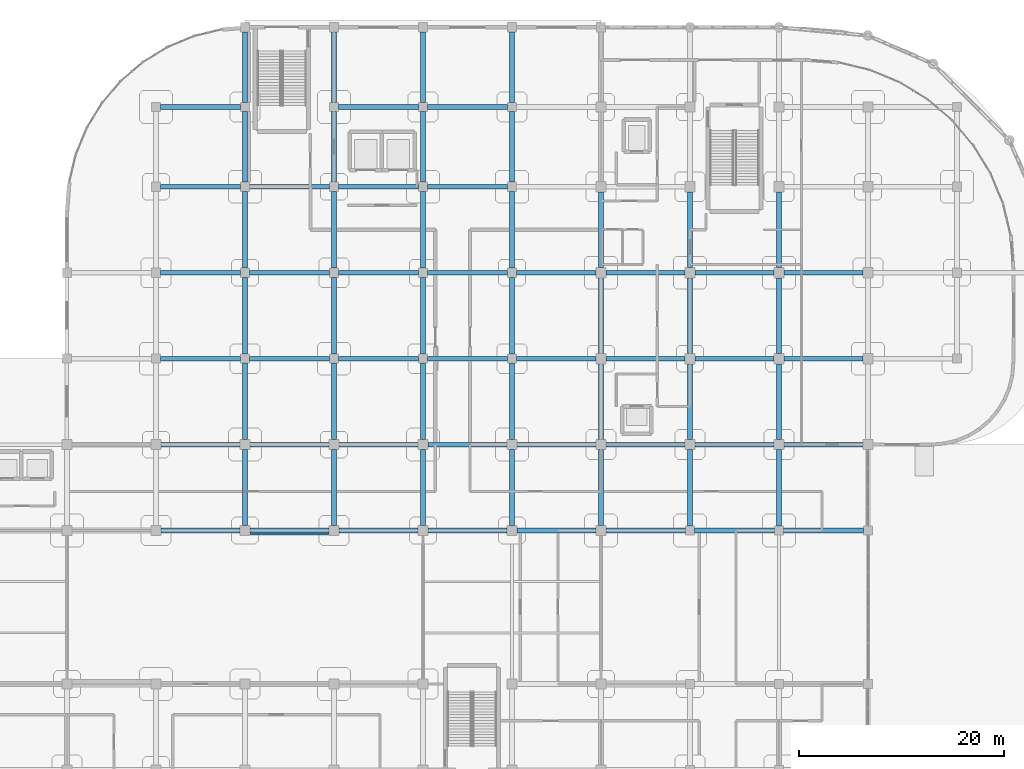
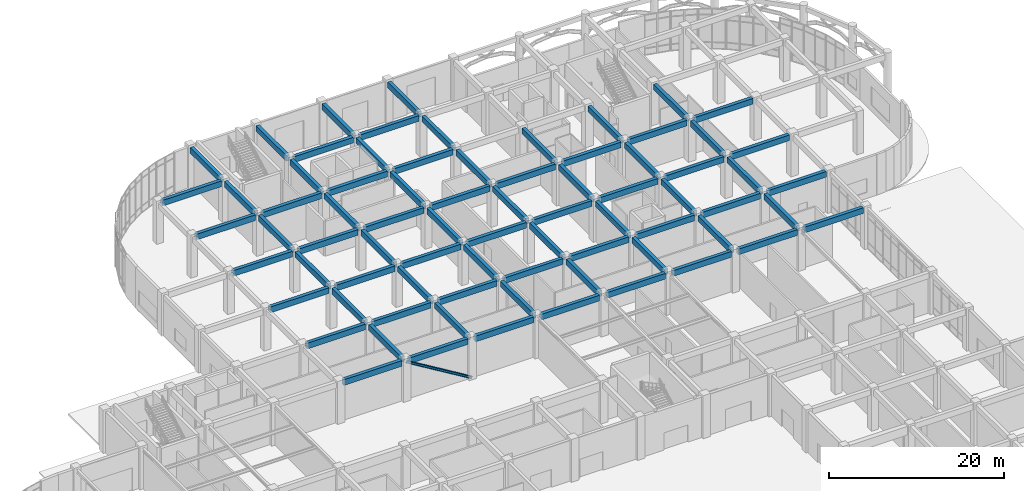
# One storey, part 22 of 82: 75 beams, 1 member.
"""IFC4 building model written with IfcOpenShell, lengths in metres."""

from ifc_helpers import new_model, si_unit, derived_unit, direction, frame, origin, origin_2d, place, context, subcontext, project, spatial, rectangle, i_section, extrude, material, material_profile, profile_set, type_object, element, save


model = new_model("IFC4")

# Units and contexts
model_context = context("Model", 3, precision=1e-05, world=origin(), true_north=direction((0.0, 1.0)))
body_context = subcontext(model_context, "Body", "Model", "MODEL_VIEW")
ifc_project = project(units=[si_unit("LENGTHUNIT", "METRE"), si_unit("AREAUNIT", "SQUARE_METRE"), si_unit("VOLUMEUNIT", "CUBIC_METRE"), si_unit("PLANEANGLEUNIT", "RADIAN"), si_unit("MASSUNIT", "GRAM", prefix="KILO"), derived_unit("THERMALTRANSMITTANCEUNIT", [(si_unit("MASSUNIT", "GRAM", prefix="KILO"), 1), (si_unit("TIMEUNIT", "SECOND"), -3), (si_unit("THERMODYNAMICTEMPERATUREUNIT", "KELVIN"), -1)])], contexts=[model_context])

# Site, building, storey
site_placement = place(None, origin())
site = spatial("IfcSite", under=ifc_project, at=site_placement, CompositionType="ELEMENT")
building_placement = place(site_placement, origin())
building = spatial("IfcBuilding", under=site, at=building_placement, Name="Qinzheling Arcade Emporium", CompositionType="ELEMENT")
storey_placement = place(building_placement, origin())
storey = spatial("IfcBuildingStorey", under=building, at=storey_placement, Name="L01", CompositionType="ELEMENT", Elevation=0.0)

# Member
ifc_material_1 = material(Name="Structural steel Q355B", Category="steel")
ifc_material_profile_1 = material_profile(ifc_material_1, i_section(OverallWidth=0.300048828125, OverallDepth=0.300048828125, WebThickness=0.010009765625, FlangeThickness=0.014892578125, FilletRadius=0.01806640625, at=origin_2d()), Name="HW 300x300x10x15", Category="steel")
ifc_profile_set_1 = profile_set([ifc_material_profile_1], Name="Structural steel Q355B")
member_type = type_object("IfcMemberType", Name="Escalator Truss Stringer HW300 Q355B", PredefinedType="STRINGER", material=ifc_profile_set_1)
member_placement = place(storey_placement, frame((78.300048828125, 65.1201171875, 0.179931640625), z_axis=(-0.855314515811, 0.0, 0.518109138159), x_axis=(0.0, -1.0, 0.0)))
element("IfcMember", 1, at=member_placement, inside=storey, type_object=member_type, Name="Escalator Stringer ESC-STR-L01-2", PredefinedType="STRINGER", context=body_context, shape_type="SweptSolid", body=[
    extrude(i_section(OverallWidth=0.300048828125, OverallDepth=0.300048828125, WebThickness=0.010009765625, FlangeThickness=0.014892578125, FilletRadius=0.01806640625, at=origin_2d()), origin(), (0.0, 0.0, 1.0), 10.171630859375),
])

# Beams
ifc_material_2 = material(Name="Concrete C40", Category="concrete")
ifc_material_profile_2 = material_profile(ifc_material_2, rectangle(XDim=0.449951171875, YDim=0.800048828125, at=origin_2d()), Name="RC 450x800", Category="concrete")
ifc_profile_set_2 = profile_set([ifc_material_profile_2], Name="Concrete C40")
beam_type = type_object("IfcBeamType", Name="RC Primary Frame Beam 450x800 C40", PredefinedType="BEAM", material=ifc_profile_set_2)
beam_1_placement = place(storey_placement, frame((61.39990234375, 65.39990234375, 5.320068359375), z_axis=(1.0, 0.0, 0.0), x_axis=(0.0, 1.0, 0.0)))
element("IfcBeam", 2, at=beam_1_placement, inside=storey, type_object=beam_type, Name="Beam BM-L01-X-H-8", PredefinedType="BEAM", context=body_context, shape_type="SweptSolid", body=[
    extrude(rectangle(XDim=0.449951171875, YDim=0.800048828125, at=origin_2d()), origin(), (0.0, 0.0, 1.0), 7.7001953125),
])
for number, where, z_axis, x_axis, name in (
    (3, (70.10009765625, 65.39990234375, 5.320068359375), (1.0, 0.0, 0.0), (0.0, 1.0, 0.0), "Beam BM-L01-X-H-9"),
    (4, (78.800048828125, 65.39990234375, 5.320068359375), (1.0, 0.0, 0.0), (0.0, 1.0, 0.0), "Beam BM-L01-X-H-10"),
    (5, (87.5, 65.39990234375, 5.320068359375), (1.0, 0.0, 0.0), (0.0, 1.0, 0.0), "Beam BM-L01-X-H-11"),
    (6, (96.199951171875, 65.39990234375, 5.320068359375), (1.0, 0.0, 0.0), (0.0, 1.0, 0.0), "Beam BM-L01-X-H-12"),
):
    element("IfcBeam", number, at=place(storey_placement, frame(where, z_axis=z_axis, x_axis=x_axis)), inside=storey, type_object=beam_type, Name=name, PredefinedType="BEAM", context=body_context, shape_type="SweptSolid", body=[
        extrude(rectangle(XDim=0.449951171875, YDim=0.800048828125, at=origin_2d()), origin(), (0.0, 0.0, 1.0), 7.699951171875),
    ])
beam_2_placement = place(storey_placement, frame((104.89990234375, 65.39990234375, 5.320068359375), z_axis=(1.0, 0.0, 0.0), x_axis=(0.0, 1.0, 0.0)))
element("IfcBeam", 7, at=beam_2_placement, inside=storey, type_object=beam_type, Name="Beam BM-L01-X-H-13", PredefinedType="BEAM", context=body_context, shape_type="SweptSolid", body=[
    extrude(rectangle(XDim=0.449951171875, YDim=0.800048828125, at=origin_2d()), origin(), (0.0, 0.0, 1.0), 7.75),
])
for number, where, z_axis, x_axis, name in (
    (8, (113.550048828125, 65.39990234375, 5.320068359375), (1.0, 0.0, 0.0), (0.0, 1.0, 0.0), "Beam BM-L01-X-H-14"),
    (9, (122.25, 65.39990234375, 5.320068359375), (1.0, 0.0, 0.0), (0.0, 1.0, 0.0), "Beam BM-L01-X-H-15"),
):
    element("IfcBeam", number, at=place(storey_placement, frame(where, z_axis=z_axis, x_axis=x_axis)), inside=storey, type_object=beam_type, Name=name, PredefinedType="BEAM", context=body_context, shape_type="SweptSolid", body=[
        extrude(rectangle(XDim=0.449951171875, YDim=0.800048828125, at=origin_2d()), origin(), (0.0, 0.0, 1.0), 7.800048828125),
    ])
beam_3_placement = place(storey_placement, frame((61.39990234375, 73.800048828125, 5.320068359375), z_axis=(1.0, 0.0, 0.0), x_axis=(0.0, 1.0, 0.0)))
element("IfcBeam", 10, at=beam_3_placement, inside=storey, type_object=beam_type, Name="Beam BM-L01-X-J-8", PredefinedType="BEAM", context=body_context, shape_type="SweptSolid", body=[
    extrude(rectangle(XDim=0.449951171875, YDim=0.800048828125, at=origin_2d()), origin(), (0.0, 0.0, 1.0), 7.7001953125),
])
for number, where, z_axis, x_axis, name in (
    (11, (70.10009765625, 73.800048828125, 5.320068359375), (1.0, 0.0, 0.0), (0.0, 1.0, 0.0), "Beam BM-L01-X-J-9"),
    (12, (78.800048828125, 73.800048828125, 5.320068359375), (1.0, 0.0, 0.0), (0.0, 1.0, 0.0), "Beam BM-L01-X-J-10"),
    (13, (87.5, 73.800048828125, 5.320068359375), (1.0, 0.0, 0.0), (0.0, 1.0, 0.0), "Beam BM-L01-X-J-11"),
    (14, (96.199951171875, 73.800048828125, 5.320068359375), (1.0, 0.0, 0.0), (0.0, 1.0, 0.0), "Beam BM-L01-X-J-12"),
):
    element("IfcBeam", number, at=place(storey_placement, frame(where, z_axis=z_axis, x_axis=x_axis)), inside=storey, type_object=beam_type, Name=name, PredefinedType="BEAM", context=body_context, shape_type="SweptSolid", body=[
        extrude(rectangle(XDim=0.449951171875, YDim=0.800048828125, at=origin_2d()), origin(), (0.0, 0.0, 1.0), 7.699951171875),
    ])
beam_4_placement = place(storey_placement, frame((104.89990234375, 73.800048828125, 5.320068359375), z_axis=(1.0, 0.0, 0.0), x_axis=(0.0, 1.0, 0.0)))
element("IfcBeam", 15, at=beam_4_placement, inside=storey, type_object=beam_type, Name="Beam BM-L01-X-J-13", PredefinedType="BEAM", context=body_context, shape_type="SweptSolid", body=[
    extrude(rectangle(XDim=0.449951171875, YDim=0.800048828125, at=origin_2d()), origin(), (0.0, 0.0, 1.0), 7.7001953125),
])
for number, where, z_axis, x_axis, name in (
    (16, (113.60009765625, 73.800048828125, 5.320068359375), (1.0, 0.0, 0.0), (0.0, 1.0, 0.0), "Beam BM-L01-X-J-14"),
    (17, (122.300048828125, 73.800048828125, 5.320068359375), (1.0, 0.0, 0.0), (0.0, 1.0, 0.0), "Beam BM-L01-X-J-15"),
):
    element("IfcBeam", number, at=place(storey_placement, frame(where, z_axis=z_axis, x_axis=x_axis)), inside=storey, type_object=beam_type, Name=name, PredefinedType="BEAM", context=body_context, shape_type="SweptSolid", body=[
        extrude(rectangle(XDim=0.449951171875, YDim=0.800048828125, at=origin_2d()), origin(), (0.0, 0.0, 1.0), 7.699951171875),
    ])
beam_5_placement = place(storey_placement, frame((61.35009765625, 82.199951171875, 5.2900390625), z_axis=(1.0, 0.0, 0.0), x_axis=(0.0, 1.0, 0.0)))
element("IfcBeam", 18, at=beam_5_placement, inside=storey, type_object=beam_type, Name="Beam BM-L01-X-K-8", PredefinedType="BEAM", context=body_context, shape_type="SweptSolid", body=[
    extrude(rectangle(XDim=0.449951171875, YDim=0.800048828125, at=origin_2d()), origin(), (0.0, 0.0, 1.0), 7.7998046875),
])
for number, where, z_axis, x_axis, name in (
    (19, (70.050048828125, 82.199951171875, 5.2900390625), (1.0, 0.0, 0.0), (0.0, 1.0, 0.0), "Beam BM-L01-X-K-9"),
    (20, (78.75, 82.199951171875, 5.2900390625), (1.0, 0.0, 0.0), (0.0, 1.0, 0.0), "Beam BM-L01-X-K-10"),
    (21, (87.449951171875, 82.199951171875, 5.2900390625), (1.0, 0.0, 0.0), (0.0, 1.0, 0.0), "Beam BM-L01-X-K-11"),
):
    element("IfcBeam", number, at=place(storey_placement, frame(where, z_axis=z_axis, x_axis=x_axis)), inside=storey, type_object=beam_type, Name=name, PredefinedType="BEAM", context=body_context, shape_type="SweptSolid", body=[
        extrude(rectangle(XDim=0.449951171875, YDim=0.800048828125, at=origin_2d()), origin(), (0.0, 0.0, 1.0), 7.800048828125),
    ])
beam_6_placement = place(storey_placement, frame((96.14990234375, 82.199951171875, 5.2900390625), z_axis=(1.0, 0.0, 0.0), x_axis=(0.0, 1.0, 0.0)))
element("IfcBeam", 22, at=beam_6_placement, inside=storey, type_object=beam_type, Name="Beam BM-L01-X-K-12", PredefinedType="BEAM", context=body_context, shape_type="SweptSolid", body=[
    extrude(rectangle(XDim=0.449951171875, YDim=0.800048828125, at=origin_2d()), origin(), (0.0, 0.0, 1.0), 7.75),
])
beam_7_placement = place(storey_placement, frame((104.89990234375, 82.199951171875, 5.3349609375), z_axis=(1.0, 0.0, 0.0), x_axis=(0.0, 1.0, 0.0)))
element("IfcBeam", 23, at=beam_7_placement, inside=storey, type_object=beam_type, Name="Beam BM-L01-X-K-13", PredefinedType="BEAM", context=body_context, shape_type="SweptSolid", body=[
    extrude(rectangle(XDim=0.449951171875, YDim=0.800048828125, at=origin_2d()), origin(), (0.0, 0.0, 1.0), 7.7001953125),
])
for number, where, z_axis, x_axis, name in (
    (24, (113.60009765625, 82.199951171875, 5.3349609375), (1.0, 0.0, 0.0), (0.0, 1.0, 0.0), "Beam BM-L01-X-K-14"),
    (25, (122.300048828125, 82.199951171875, 5.3349609375), (1.0, 0.0, 0.0), (0.0, 1.0, 0.0), "Beam BM-L01-X-K-15"),
):
    element("IfcBeam", number, at=place(storey_placement, frame(where, z_axis=z_axis, x_axis=x_axis)), inside=storey, type_object=beam_type, Name=name, PredefinedType="BEAM", context=body_context, shape_type="SweptSolid", body=[
        extrude(rectangle(XDim=0.449951171875, YDim=0.800048828125, at=origin_2d()), origin(), (0.0, 0.0, 1.0), 7.699951171875),
    ])
beam_8_placement = place(storey_placement, frame((61.35009765625, 90.60009765625, 5.2900390625), z_axis=(1.0, 0.0, 0.0), x_axis=(0.0, 1.0, 0.0)))
element("IfcBeam", 26, at=beam_8_placement, inside=storey, type_object=beam_type, Name="Beam BM-L01-X-L-8", PredefinedType="BEAM", context=body_context, shape_type="SweptSolid", body=[
    extrude(rectangle(XDim=0.449951171875, YDim=0.800048828125, at=origin_2d()), origin(), (0.0, 0.0, 1.0), 7.7998046875),
])
for number, where, z_axis, x_axis, name in (
    (27, (70.050048828125, 90.60009765625, 5.2900390625), (1.0, 0.0, 0.0), (0.0, 1.0, 0.0), "Beam BM-L01-X-L-9"),
    (28, (78.75, 90.60009765625, 5.2900390625), (1.0, 0.0, 0.0), (0.0, 1.0, 0.0), "Beam BM-L01-X-L-10"),
    (29, (87.449951171875, 90.60009765625, 5.2900390625), (1.0, 0.0, 0.0), (0.0, 1.0, 0.0), "Beam BM-L01-X-L-11"),
):
    element("IfcBeam", number, at=place(storey_placement, frame(where, z_axis=z_axis, x_axis=x_axis)), inside=storey, type_object=beam_type, Name=name, PredefinedType="BEAM", context=body_context, shape_type="SweptSolid", body=[
        extrude(rectangle(XDim=0.449951171875, YDim=0.800048828125, at=origin_2d()), origin(), (0.0, 0.0, 1.0), 7.800048828125),
    ])
beam_9_placement = place(storey_placement, frame((96.14990234375, 90.60009765625, 5.2900390625), z_axis=(1.0, 0.0, 0.0), x_axis=(0.0, 1.0, 0.0)))
element("IfcBeam", 30, at=beam_9_placement, inside=storey, type_object=beam_type, Name="Beam BM-L01-X-L-12", PredefinedType="BEAM", context=body_context, shape_type="SweptSolid", body=[
    extrude(rectangle(XDim=0.449951171875, YDim=0.800048828125, at=origin_2d()), origin(), (0.0, 0.0, 1.0), 7.75),
])
beam_10_placement = place(storey_placement, frame((104.89990234375, 90.60009765625, 5.3349609375), z_axis=(1.0, 0.0, 0.0), x_axis=(0.0, 1.0, 0.0)))
element("IfcBeam", 31, at=beam_10_placement, inside=storey, type_object=beam_type, Name="Beam BM-L01-X-L-13", PredefinedType="BEAM", context=body_context, shape_type="SweptSolid", body=[
    extrude(rectangle(XDim=0.449951171875, YDim=0.800048828125, at=origin_2d()), origin(), (0.0, 0.0, 1.0), 7.7001953125),
])
for number, where, z_axis, x_axis, name in (
    (32, (113.60009765625, 90.60009765625, 5.3349609375), (1.0, 0.0, 0.0), (0.0, 1.0, 0.0), "Beam BM-L01-X-L-14"),
    (33, (122.300048828125, 90.60009765625, 5.3349609375), (1.0, 0.0, 0.0), (0.0, 1.0, 0.0), "Beam BM-L01-X-L-15"),
):
    element("IfcBeam", number, at=place(storey_placement, frame(where, z_axis=z_axis, x_axis=x_axis)), inside=storey, type_object=beam_type, Name=name, PredefinedType="BEAM", context=body_context, shape_type="SweptSolid", body=[
        extrude(rectangle(XDim=0.449951171875, YDim=0.800048828125, at=origin_2d()), origin(), (0.0, 0.0, 1.0), 7.699951171875),
    ])
beam_11_placement = place(storey_placement, frame((61.35009765625, 99.0, 5.2900390625), z_axis=(1.0, 0.0, 0.0), x_axis=(0.0, 1.0, 0.0)))
element("IfcBeam", 34, at=beam_11_placement, inside=storey, type_object=beam_type, Name="Beam BM-L01-X-M-8", PredefinedType="BEAM", context=body_context, shape_type="SweptSolid", body=[
    extrude(rectangle(XDim=0.449951171875, YDim=0.800048828125, at=origin_2d()), origin(), (0.0, 0.0, 1.0), 7.7998046875),
])
for number, where, z_axis, x_axis, name in (
    (35, (70.050048828125, 99.0, 5.2900390625), (1.0, 0.0, 0.0), (0.0, 1.0, 0.0), "Beam BM-L01-X-M-9"),
    (36, (78.75, 99.0, 5.2900390625), (1.0, 0.0, 0.0), (0.0, 1.0, 0.0), "Beam BM-L01-X-M-10"),
    (37, (87.449951171875, 99.0, 5.2900390625), (1.0, 0.0, 0.0), (0.0, 1.0, 0.0), "Beam BM-L01-X-M-11"),
):
    element("IfcBeam", number, at=place(storey_placement, frame(where, z_axis=z_axis, x_axis=x_axis)), inside=storey, type_object=beam_type, Name=name, PredefinedType="BEAM", context=body_context, shape_type="SweptSolid", body=[
        extrude(rectangle(XDim=0.449951171875, YDim=0.800048828125, at=origin_2d()), origin(), (0.0, 0.0, 1.0), 7.800048828125),
    ])
beam_12_placement = place(storey_placement, frame((61.35009765625, 106.800048828125, 5.2900390625), z_axis=(1.0, 0.0, 0.0), x_axis=(0.0, 1.0, 0.0)))
element("IfcBeam", 38, at=beam_12_placement, inside=storey, type_object=beam_type, Name="Beam BM-L01-X-N-8", PredefinedType="BEAM", context=body_context, shape_type="SweptSolid", body=[
    extrude(rectangle(XDim=0.449951171875, YDim=0.800048828125, at=origin_2d()), origin(), (0.0, 0.0, 1.0), 7.7998046875),
])
for number, where, z_axis, x_axis, name in (
    (39, (78.75, 106.800048828125, 5.2900390625), (1.0, 0.0, 0.0), (0.0, 1.0, 0.0), "Beam BM-L01-X-N-10"),
    (40, (87.449951171875, 106.800048828125, 5.2900390625), (1.0, 0.0, 0.0), (0.0, 1.0, 0.0), "Beam BM-L01-X-N-11"),
):
    element("IfcBeam", number, at=place(storey_placement, frame(where, z_axis=z_axis, x_axis=x_axis)), inside=storey, type_object=beam_type, Name=name, PredefinedType="BEAM", context=body_context, shape_type="SweptSolid", body=[
        extrude(rectangle(XDim=0.449951171875, YDim=0.800048828125, at=origin_2d()), origin(), (0.0, 0.0, 1.0), 7.800048828125),
    ])
beam_13_placement = place(storey_placement, frame((69.60009765625, 65.89990234375, 5.320068359375), z_axis=(0.0, 1.0, 0.0), x_axis=(-1.0, 0.0, 0.0)))
element("IfcBeam", 41, at=beam_13_placement, inside=storey, type_object=beam_type, Name="Beam BM-L01-Y-9-H", PredefinedType="BEAM", context=body_context, shape_type="SweptSolid", body=[
    extrude(rectangle(XDim=0.449951171875, YDim=0.800048828125, at=origin_2d()), origin(), (0.0, 0.0, 1.0), 7.400146484375),
])
beam_14_placement = place(storey_placement, frame((69.60009765625, 74.300048828125, 5.2900390625), z_axis=(0.0, 1.0, 0.0), x_axis=(-1.0, 0.0, 0.0)))
element("IfcBeam", 42, at=beam_14_placement, inside=storey, type_object=beam_type, Name="Beam BM-L01-Y-9-J", PredefinedType="BEAM", context=body_context, shape_type="SweptSolid", body=[
    extrude(rectangle(XDim=0.449951171875, YDim=0.800048828125, at=origin_2d()), origin(), (0.0, 0.0, 1.0), 7.449951171875),
])
for number, where, z_axis, x_axis, name in (
    (43, (69.60009765625, 82.64990234375, 5.2900390625), (0.0, 1.0, 0.0), (-1.0, 0.0, 0.0), "Beam BM-L01-Y-9-K"),
    (44, (69.60009765625, 91.050048828125, 5.2900390625), (0.0, 1.0, 0.0), (-1.0, 0.0, 0.0), "Beam BM-L01-Y-9-L"),
):
    element("IfcBeam", number, at=place(storey_placement, frame(where, z_axis=z_axis, x_axis=x_axis)), inside=storey, type_object=beam_type, Name=name, PredefinedType="BEAM", context=body_context, shape_type="SweptSolid", body=[
        extrude(rectangle(XDim=0.449951171875, YDim=0.800048828125, at=origin_2d()), origin(), (0.0, 0.0, 1.0), 7.5),
    ])
beam_15_placement = place(storey_placement, frame((69.60009765625, 99.449951171875, 5.2900390625), z_axis=(0.0, 1.0, 0.0), x_axis=(-1.0, 0.0, 0.0)))
element("IfcBeam", 45, at=beam_15_placement, inside=storey, type_object=beam_type, Name="Beam BM-L01-Y-9-M", PredefinedType="BEAM", context=body_context, shape_type="SweptSolid", body=[
    extrude(rectangle(XDim=0.449951171875, YDim=0.800048828125, at=origin_2d()), origin(), (0.0, 0.0, 1.0), 6.900146484375),
])
beam_16_placement = place(storey_placement, frame((69.60009765625, 107.25, 5.2900390625), z_axis=(0.0, 1.0, 0.0), x_axis=(-1.0, 0.0, 0.0)))
element("IfcBeam", 46, at=beam_16_placement, inside=storey, type_object=beam_type, Name="Beam BM-L01-Y-9-N", PredefinedType="BEAM", context=body_context, shape_type="SweptSolid", body=[
    extrude(rectangle(XDim=0.449951171875, YDim=0.800048828125, at=origin_2d()), origin(), (0.0, 0.0, 1.0), 6.89990234375),
])
beam_17_placement = place(storey_placement, frame((78.300048828125, 65.89990234375, 5.320068359375), z_axis=(0.0, 1.0, 0.0), x_axis=(-1.0, 0.0, 0.0)))
element("IfcBeam", 47, at=beam_17_placement, inside=storey, type_object=beam_type, Name="Beam BM-L01-Y-10-H", PredefinedType="BEAM", context=body_context, shape_type="SweptSolid", body=[
    extrude(rectangle(XDim=0.449951171875, YDim=0.800048828125, at=origin_2d()), origin(), (0.0, 0.0, 1.0), 7.400146484375),
])
beam_18_placement = place(storey_placement, frame((78.300048828125, 74.300048828125, 5.2900390625), z_axis=(0.0, 1.0, 0.0), x_axis=(-1.0, 0.0, 0.0)))
element("IfcBeam", 48, at=beam_18_placement, inside=storey, type_object=beam_type, Name="Beam BM-L01-Y-10-J", PredefinedType="BEAM", context=body_context, shape_type="SweptSolid", body=[
    extrude(rectangle(XDim=0.449951171875, YDim=0.800048828125, at=origin_2d()), origin(), (0.0, 0.0, 1.0), 7.449951171875),
])
for number, where, z_axis, x_axis, name in (
    (49, (78.300048828125, 82.64990234375, 5.2900390625), (0.0, 1.0, 0.0), (-1.0, 0.0, 0.0), "Beam BM-L01-Y-10-K"),
    (50, (78.300048828125, 91.050048828125, 5.2900390625), (0.0, 1.0, 0.0), (-1.0, 0.0, 0.0), "Beam BM-L01-Y-10-L"),
):
    element("IfcBeam", number, at=place(storey_placement, frame(where, z_axis=z_axis, x_axis=x_axis)), inside=storey, type_object=beam_type, Name=name, PredefinedType="BEAM", context=body_context, shape_type="SweptSolid", body=[
        extrude(rectangle(XDim=0.449951171875, YDim=0.800048828125, at=origin_2d()), origin(), (0.0, 0.0, 1.0), 7.5),
    ])
beam_19_placement = place(storey_placement, frame((78.300048828125, 99.449951171875, 5.2900390625), z_axis=(0.0, 1.0, 0.0), x_axis=(-1.0, 0.0, 0.0)))
element("IfcBeam", 51, at=beam_19_placement, inside=storey, type_object=beam_type, Name="Beam BM-L01-Y-10-M", PredefinedType="BEAM", context=body_context, shape_type="SweptSolid", body=[
    extrude(rectangle(XDim=0.449951171875, YDim=0.800048828125, at=origin_2d()), origin(), (0.0, 0.0, 1.0), 6.900146484375),
])
beam_20_placement = place(storey_placement, frame((78.300048828125, 107.25, 5.2900390625), z_axis=(0.0, 1.0, 0.0), x_axis=(-1.0, 0.0, 0.0)))
element("IfcBeam", 52, at=beam_20_placement, inside=storey, type_object=beam_type, Name="Beam BM-L01-Y-10-N", PredefinedType="BEAM", context=body_context, shape_type="SweptSolid", body=[
    extrude(rectangle(XDim=0.449951171875, YDim=0.800048828125, at=origin_2d()), origin(), (0.0, 0.0, 1.0), 6.89990234375),
])
beam_21_placement = place(storey_placement, frame((87.0, 65.89990234375, 5.320068359375), z_axis=(0.0, 1.0, 0.0), x_axis=(-1.0, 0.0, 0.0)))
element("IfcBeam", 53, at=beam_21_placement, inside=storey, type_object=beam_type, Name="Beam BM-L01-Y-11-H", PredefinedType="BEAM", context=body_context, shape_type="SweptSolid", body=[
    extrude(rectangle(XDim=0.449951171875, YDim=0.800048828125, at=origin_2d()), origin(), (0.0, 0.0, 1.0), 7.400146484375),
])
beam_22_placement = place(storey_placement, frame((87.0, 74.300048828125, 5.2900390625), z_axis=(0.0, 1.0, 0.0), x_axis=(-1.0, 0.0, 0.0)))
element("IfcBeam", 54, at=beam_22_placement, inside=storey, type_object=beam_type, Name="Beam BM-L01-Y-11-J", PredefinedType="BEAM", context=body_context, shape_type="SweptSolid", body=[
    extrude(rectangle(XDim=0.449951171875, YDim=0.800048828125, at=origin_2d()), origin(), (0.0, 0.0, 1.0), 7.449951171875),
])
for number, where, z_axis, x_axis, name in (
    (55, (87.0, 82.64990234375, 5.2900390625), (0.0, 1.0, 0.0), (-1.0, 0.0, 0.0), "Beam BM-L01-Y-11-K"),
    (56, (87.0, 91.050048828125, 5.2900390625), (0.0, 1.0, 0.0), (-1.0, 0.0, 0.0), "Beam BM-L01-Y-11-L"),
):
    element("IfcBeam", number, at=place(storey_placement, frame(where, z_axis=z_axis, x_axis=x_axis)), inside=storey, type_object=beam_type, Name=name, PredefinedType="BEAM", context=body_context, shape_type="SweptSolid", body=[
        extrude(rectangle(XDim=0.449951171875, YDim=0.800048828125, at=origin_2d()), origin(), (0.0, 0.0, 1.0), 7.5),
    ])
beam_23_placement = place(storey_placement, frame((87.0, 99.449951171875, 5.2900390625), z_axis=(0.0, 1.0, 0.0), x_axis=(-1.0, 0.0, 0.0)))
element("IfcBeam", 57, at=beam_23_placement, inside=storey, type_object=beam_type, Name="Beam BM-L01-Y-11-M", PredefinedType="BEAM", context=body_context, shape_type="SweptSolid", body=[
    extrude(rectangle(XDim=0.449951171875, YDim=0.800048828125, at=origin_2d()), origin(), (0.0, 0.0, 1.0), 6.900146484375),
])
beam_24_placement = place(storey_placement, frame((87.0, 107.25, 5.2900390625), z_axis=(0.0, 1.0, 0.0), x_axis=(-1.0, 0.0, 0.0)))
element("IfcBeam", 58, at=beam_24_placement, inside=storey, type_object=beam_type, Name="Beam BM-L01-Y-11-N", PredefinedType="BEAM", context=body_context, shape_type="SweptSolid", body=[
    extrude(rectangle(XDim=0.449951171875, YDim=0.800048828125, at=origin_2d()), origin(), (0.0, 0.0, 1.0), 6.89990234375),
])
beam_25_placement = place(storey_placement, frame((95.699951171875, 65.89990234375, 5.320068359375), z_axis=(0.0, 1.0, 0.0), x_axis=(-1.0, 0.0, 0.0)))
element("IfcBeam", 59, at=beam_25_placement, inside=storey, type_object=beam_type, Name="Beam BM-L01-Y-12-H", PredefinedType="BEAM", context=body_context, shape_type="SweptSolid", body=[
    extrude(rectangle(XDim=0.449951171875, YDim=0.800048828125, at=origin_2d()), origin(), (0.0, 0.0, 1.0), 7.400146484375),
])
beam_26_placement = place(storey_placement, frame((95.699951171875, 74.300048828125, 5.2900390625), z_axis=(0.0, 1.0, 0.0), x_axis=(-1.0, 0.0, 0.0)))
element("IfcBeam", 60, at=beam_26_placement, inside=storey, type_object=beam_type, Name="Beam BM-L01-Y-12-J", PredefinedType="BEAM", context=body_context, shape_type="SweptSolid", body=[
    extrude(rectangle(XDim=0.449951171875, YDim=0.800048828125, at=origin_2d()), origin(), (0.0, 0.0, 1.0), 7.449951171875),
])
for number, where, z_axis, x_axis, name in (
    (61, (95.699951171875, 82.64990234375, 5.2900390625), (0.0, 1.0, 0.0), (-1.0, 0.0, 0.0), "Beam BM-L01-Y-12-K"),
    (62, (95.699951171875, 91.050048828125, 5.2900390625), (0.0, 1.0, 0.0), (-1.0, 0.0, 0.0), "Beam BM-L01-Y-12-L"),
):
    element("IfcBeam", number, at=place(storey_placement, frame(where, z_axis=z_axis, x_axis=x_axis)), inside=storey, type_object=beam_type, Name=name, PredefinedType="BEAM", context=body_context, shape_type="SweptSolid", body=[
        extrude(rectangle(XDim=0.449951171875, YDim=0.800048828125, at=origin_2d()), origin(), (0.0, 0.0, 1.0), 7.5),
    ])
beam_27_placement = place(storey_placement, frame((95.699951171875, 99.449951171875, 5.2900390625), z_axis=(0.0, 1.0, 0.0), x_axis=(-1.0, 0.0, 0.0)))
element("IfcBeam", 63, at=beam_27_placement, inside=storey, type_object=beam_type, Name="Beam BM-L01-Y-12-M", PredefinedType="BEAM", context=body_context, shape_type="SweptSolid", body=[
    extrude(rectangle(XDim=0.449951171875, YDim=0.800048828125, at=origin_2d()), origin(), (0.0, 0.0, 1.0), 6.900146484375),
])
beam_28_placement = place(storey_placement, frame((95.699951171875, 107.25, 5.2900390625), z_axis=(0.0, 1.0, 0.0), x_axis=(-1.0, 0.0, 0.0)))
element("IfcBeam", 64, at=beam_28_placement, inside=storey, type_object=beam_type, Name="Beam BM-L01-Y-12-N", PredefinedType="BEAM", context=body_context, shape_type="SweptSolid", body=[
    extrude(rectangle(XDim=0.449951171875, YDim=0.800048828125, at=origin_2d()), origin(), (0.0, 0.0, 1.0), 6.89990234375),
])
beam_29_placement = place(storey_placement, frame((104.39990234375, 65.89990234375, 5.320068359375), z_axis=(0.0, 1.0, 0.0), x_axis=(-1.0, 0.0, 0.0)))
element("IfcBeam", 65, at=beam_29_placement, inside=storey, type_object=beam_type, Name="Beam BM-L01-Y-13-H", PredefinedType="BEAM", context=body_context, shape_type="SweptSolid", body=[
    extrude(rectangle(XDim=0.449951171875, YDim=0.800048828125, at=origin_2d()), origin(), (0.0, 0.0, 1.0), 7.400146484375),
])
beam_30_placement = place(storey_placement, frame((104.39990234375, 74.300048828125, 5.2900390625), z_axis=(0.0, 1.0, 0.0), x_axis=(-1.0, 0.0, 0.0)))
element("IfcBeam", 66, at=beam_30_placement, inside=storey, type_object=beam_type, Name="Beam BM-L01-Y-13-J", PredefinedType="BEAM", context=body_context, shape_type="SweptSolid", body=[
    extrude(rectangle(XDim=0.449951171875, YDim=0.800048828125, at=origin_2d()), origin(), (0.0, 0.0, 1.0), 7.39990234375),
])
beam_31_placement = place(storey_placement, frame((104.39990234375, 82.699951171875, 5.2900390625), z_axis=(0.0, 1.0, 0.0), x_axis=(-1.0, 0.0, 0.0)))
element("IfcBeam", 67, at=beam_31_placement, inside=storey, type_object=beam_type, Name="Beam BM-L01-Y-13-K", PredefinedType="BEAM", context=body_context, shape_type="SweptSolid", body=[
    extrude(rectangle(XDim=0.449951171875, YDim=0.800048828125, at=origin_2d()), origin(), (0.0, 0.0, 1.0), 7.400146484375),
])
beam_32_placement = place(storey_placement, frame((104.39990234375, 91.10009765625, 5.2900390625), z_axis=(0.0, 1.0, 0.0), x_axis=(-1.0, 0.0, 0.0)))
element("IfcBeam", 68, at=beam_32_placement, inside=storey, type_object=beam_type, Name="Beam BM-L01-Y-13-L", PredefinedType="BEAM", context=body_context, shape_type="SweptSolid", body=[
    extrude(rectangle(XDim=0.449951171875, YDim=0.800048828125, at=origin_2d()), origin(), (0.0, 0.0, 1.0), 7.39990234375),
])
beam_33_placement = place(storey_placement, frame((113.10009765625, 65.85009765625, 5.320068359375), z_axis=(0.0, 1.0, 0.0), x_axis=(-1.0, 0.0, 0.0)))
element("IfcBeam", 69, at=beam_33_placement, inside=storey, type_object=beam_type, Name="Beam BM-L01-Y-14-H", PredefinedType="BEAM", context=body_context, shape_type="SweptSolid", body=[
    extrude(rectangle(XDim=0.449951171875, YDim=0.800048828125, at=origin_2d()), origin(), (0.0, 0.0, 1.0), 7.449951171875),
])
beam_34_placement = place(storey_placement, frame((113.10009765625, 74.300048828125, 5.3349609375), z_axis=(0.0, 1.0, 0.0), x_axis=(-1.0, 0.0, 0.0)))
element("IfcBeam", 70, at=beam_34_placement, inside=storey, type_object=beam_type, Name="Beam BM-L01-Y-14-J", PredefinedType="BEAM", context=body_context, shape_type="SweptSolid", body=[
    extrude(rectangle(XDim=0.449951171875, YDim=0.800048828125, at=origin_2d()), origin(), (0.0, 0.0, 1.0), 7.39990234375),
])
beam_35_placement = place(storey_placement, frame((113.10009765625, 82.699951171875, 5.3349609375), z_axis=(0.0, 1.0, 0.0), x_axis=(-1.0, 0.0, 0.0)))
element("IfcBeam", 71, at=beam_35_placement, inside=storey, type_object=beam_type, Name="Beam BM-L01-Y-14-K", PredefinedType="BEAM", context=body_context, shape_type="SweptSolid", body=[
    extrude(rectangle(XDim=0.449951171875, YDim=0.800048828125, at=origin_2d()), origin(), (0.0, 0.0, 1.0), 7.400146484375),
])
beam_36_placement = place(storey_placement, frame((113.10009765625, 91.10009765625, 5.3349609375), z_axis=(0.0, 1.0, 0.0), x_axis=(-1.0, 0.0, 0.0)))
element("IfcBeam", 72, at=beam_36_placement, inside=storey, type_object=beam_type, Name="Beam BM-L01-Y-14-L", PredefinedType="BEAM", context=body_context, shape_type="SweptSolid", body=[
    extrude(rectangle(XDim=0.449951171875, YDim=0.800048828125, at=origin_2d()), origin(), (0.0, 0.0, 1.0), 7.39990234375),
])
beam_37_placement = place(storey_placement, frame((121.800048828125, 65.85009765625, 5.320068359375), z_axis=(0.0, 1.0, 0.0), x_axis=(-1.0, 0.0, 0.0)))
element("IfcBeam", 73, at=beam_37_placement, inside=storey, type_object=beam_type, Name="Beam BM-L01-Y-15-H", PredefinedType="BEAM", context=body_context, shape_type="SweptSolid", body=[
    extrude(rectangle(XDim=0.449951171875, YDim=0.800048828125, at=origin_2d()), origin(), (0.0, 0.0, 1.0), 7.449951171875),
])
beam_38_placement = place(storey_placement, frame((121.800048828125, 74.300048828125, 5.3349609375), z_axis=(0.0, 1.0, 0.0), x_axis=(-1.0, 0.0, 0.0)))
element("IfcBeam", 74, at=beam_38_placement, inside=storey, type_object=beam_type, Name="Beam BM-L01-Y-15-J", PredefinedType="BEAM", context=body_context, shape_type="SweptSolid", body=[
    extrude(rectangle(XDim=0.449951171875, YDim=0.800048828125, at=origin_2d()), origin(), (0.0, 0.0, 1.0), 7.39990234375),
])
beam_39_placement = place(storey_placement, frame((121.800048828125, 82.699951171875, 5.3349609375), z_axis=(0.0, 1.0, 0.0), x_axis=(-1.0, 0.0, 0.0)))
element("IfcBeam", 75, at=beam_39_placement, inside=storey, type_object=beam_type, Name="Beam BM-L01-Y-15-K", PredefinedType="BEAM", context=body_context, shape_type="SweptSolid", body=[
    extrude(rectangle(XDim=0.449951171875, YDim=0.800048828125, at=origin_2d()), origin(), (0.0, 0.0, 1.0), 7.400146484375),
])
beam_40_placement = place(storey_placement, frame((121.800048828125, 91.10009765625, 5.3349609375), z_axis=(0.0, 1.0, 0.0), x_axis=(-1.0, 0.0, 0.0)))
element("IfcBeam", 76, at=beam_40_placement, inside=storey, type_object=beam_type, Name="Beam BM-L01-Y-15-L", PredefinedType="BEAM", context=body_context, shape_type="SweptSolid", body=[
    extrude(rectangle(XDim=0.449951171875, YDim=0.800048828125, at=origin_2d()), origin(), (0.0, 0.0, 1.0), 7.39990234375),
])

save(model, "model.ifc")
